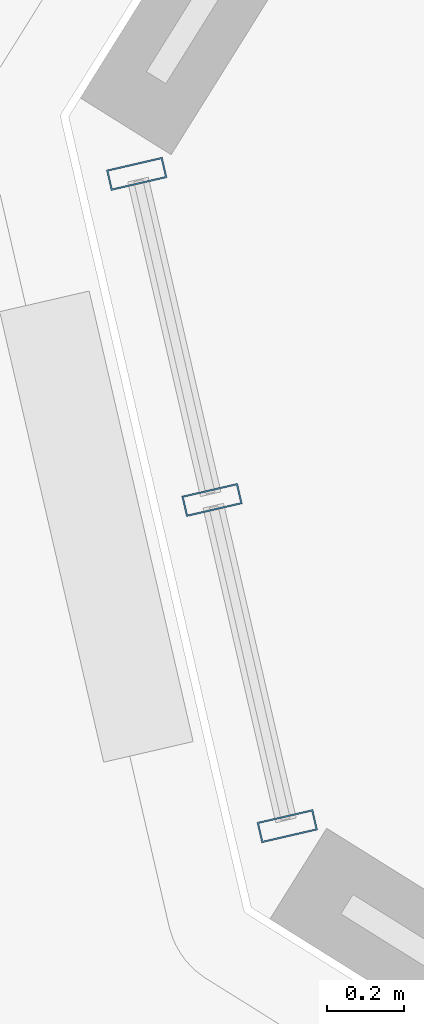
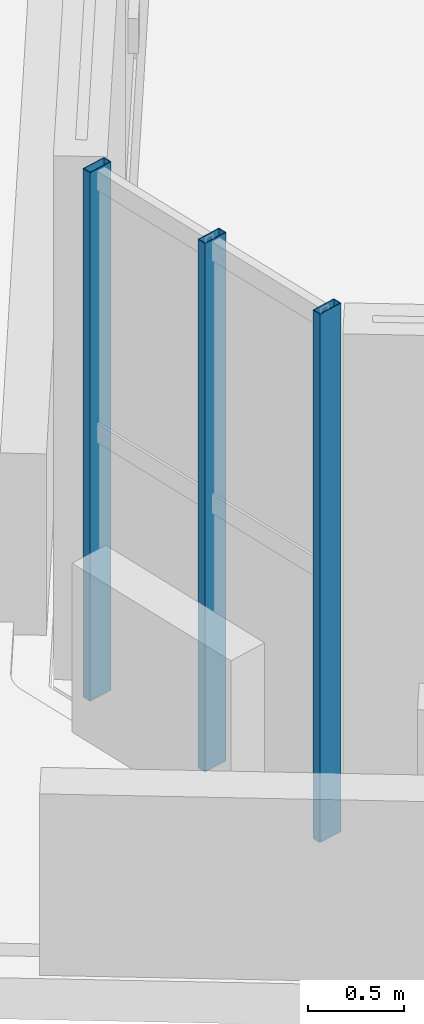
# One storey, part 2 of 6: 3 members, 1 element without a shape of its own.
"""IFC4 building model written with IfcOpenShell, lengths in metres."""

from ifc_helpers import new_model, si_unit, direction, frame, origin, origin_2d, place, context, subcontext, project, spatial, hollow_rectangle, extrude, source, transform, mapped, material, material_profile, profile_set, type_object, element, aggregate, save


model = new_model("IFC4")

# Units and contexts
model_context = context("Model", 3, precision=1e-05, world=origin(), true_north=direction((0.0, 1.0)))
body_context = subcontext(model_context, "Body", "Model", "MODEL_VIEW")
ifc_project = project(units=[si_unit("LENGTHUNIT", "METRE"), si_unit("AREAUNIT", "SQUARE_METRE"), si_unit("VOLUMEUNIT", "CUBIC_METRE"), si_unit("PLANEANGLEUNIT", "RADIAN"), si_unit("MASSUNIT", "GRAM", prefix="KILO")], contexts=[model_context])

# Site, building, storey
site_placement = place(None, origin())
site = spatial("IfcSite", under=ifc_project, at=site_placement, CompositionType="ELEMENT")
building_placement = place(site_placement, origin())
building = spatial("IfcBuilding", under=site, at=building_placement, Name="Tlacorven Tower", CompositionType="ELEMENT")
storey_placement = place(building_placement, frame((0.0, 0.0, 313.199951171875)))
storey = spatial("IfcBuildingStorey", under=building, at=storey_placement, Name="L80", CompositionType="ELEMENT", Elevation=313.199951171875)

# Curtain wall, members
ifc_material_1 = material(Name="Dark solar low-E double glazing in aluminium frame", Category="aluminium")
curtain_wall_type = type_object("IfcCurtainWallType", Name="CW-CRN-LANTERN", PredefinedType="USERDEFINED", material=ifc_material_1)
curtain_wall_placement = place(storey_placement, origin())
curtain_wall = element("IfcCurtainWall", 1, at=curtain_wall_placement, inside=storey, type_object=curtain_wall_type, Name="L80 CW-CRN-LANTERN Curtain Wall 365", ObjectType="UNITISED CURTAIN WALL", PredefinedType="USERDEFINED")
ifc_material_2 = material(Name="Aluminium 6063-T6 anodised", Category="aluminium")
ifc_material_profile = material_profile(ifc_material_2, hollow_rectangle(XDim=0.054931640625, YDim=0.14990234375, WallThickness=0.00390625, at=origin_2d()), Name="ALU MULLION 55X150")
ifc_profile_set = profile_set([ifc_material_profile], Name="Aluminium 6063-T6 anodised")
member_type = type_object("IfcMemberType", Name="CWM-04", PredefinedType="MULLION", material=ifc_profile_set)
shared_shape = source(origin(), body_context, "Body", "SweptSolid", [
    extrude(hollow_rectangle(XDim=0.054931640625, YDim=0.14990234375, WallThickness=0.00390625, at=origin_2d()), origin(), (0.0, 0.0, 1.0), 3.35009765625),
])
member_1_placement = place(storey_placement, frame((19.2138671875, 18.9970703125, -0.02001953125), z_axis=(0.0, 0.0, 1.0), x_axis=(-0.22494970827, 0.97437037555, 0.0)))
member_1 = element("IfcMember", 2, at=member_1_placement, type_object=member_type, Name="CW-L80-365 Mullion 1", PredefinedType="MULLION", context=body_context, shape_type="MappedRepresentation", body=[
    mapped(shared_shape, transform((0.0, 0.0, 0.0), scale=1.0)),
])
member_2_placement = place(storey_placement, frame((19.01708984375, 19.849853515625, -0.02001953125), z_axis=(0.0, 0.0, 1.0), x_axis=(-0.22494970827, 0.97437037555, 0.0)))
member_2 = element("IfcMember", 3, at=member_2_placement, type_object=member_type, Name="CW-L80-365 Mullion 2", PredefinedType="MULLION", context=body_context, shape_type="MappedRepresentation", body=[
    mapped(shared_shape, transform((0.0, 0.0, 0.0), scale=1.0)),
])
member_3_placement = place(storey_placement, frame((18.8203125, 20.702392578125, -0.02001953125), z_axis=(0.0, 0.0, 1.0), x_axis=(-0.22494970827, 0.97437037555, 0.0)))
member_3 = element("IfcMember", 4, at=member_3_placement, type_object=member_type, Name="CW-L80-365 Mullion 3", PredefinedType="MULLION", context=body_context, shape_type="MappedRepresentation", body=[
    mapped(shared_shape, transform((0.0, 0.0, 0.0), scale=1.0)),
])
aggregate(curtain_wall, [member_1, member_2, member_3])

save(model, "model.ifc")
